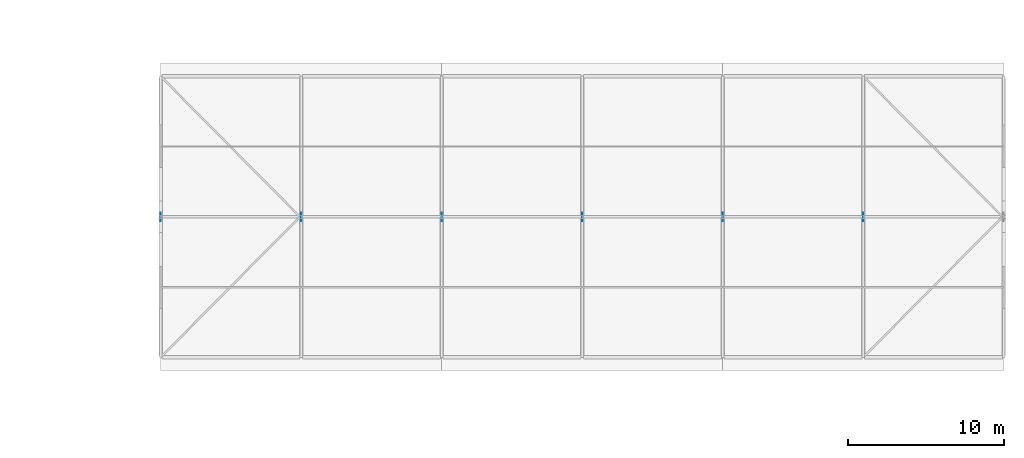
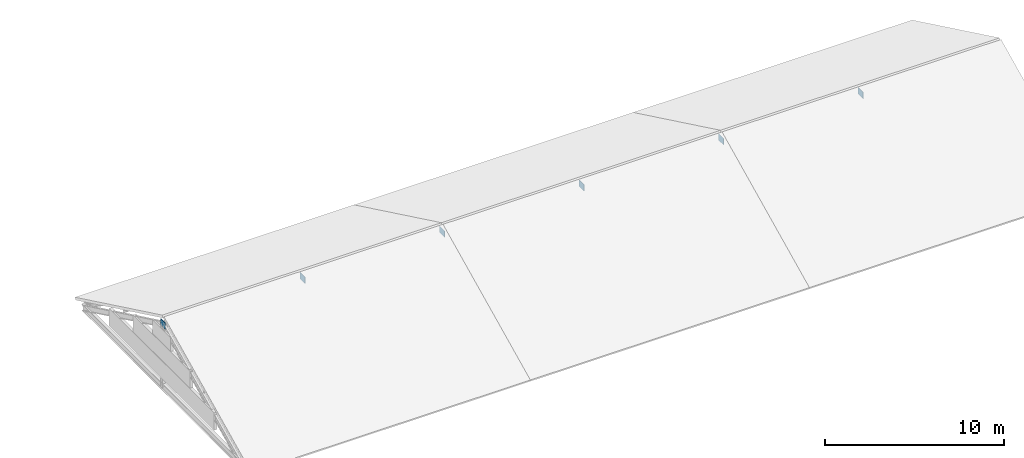
# One storey, part 16 of 25: 6 plates.
"""IFC4 building model written with IfcOpenShell, lengths in metres."""

from ifc_helpers import new_model, si_unit, direction, frame, origin, origin_2d, place, context, subcontext, project, spatial, rectangle, extrude, material, layer, layer_set, type_object, element, save


model = new_model("IFC4")

# Units and contexts
model_context = context("Model", 3, precision=1e-05, world=origin(), true_north=direction((0.0, 1.0)))
body_context = subcontext(model_context, "Body", "Model", "MODEL_VIEW")
ifc_project = project(units=[si_unit("LENGTHUNIT", "METRE"), si_unit("AREAUNIT", "SQUARE_METRE"), si_unit("VOLUMEUNIT", "CUBIC_METRE"), si_unit("PLANEANGLEUNIT", "RADIAN"), si_unit("MASSUNIT", "GRAM", prefix="KILO")], contexts=[model_context])

# Site, building, storey
site_placement = place(None, origin())
site = spatial("IfcSite", under=ifc_project, at=site_placement, CompositionType="ELEMENT")
building_placement = place(site_placement, origin())
building = spatial("IfcBuilding", under=site, at=building_placement, Name="Tharagai Park Tramway Depot", CompositionType="ELEMENT")
storey_placement = place(building_placement, frame((0.0, 0.0, 12.0)))
storey = spatial("IfcBuildingStorey", under=building, at=storey_placement, Name="L03", CompositionType="ELEMENT", Elevation=12.0)

# Plates
ifc_material = material(Name="Steel E350", Category="steel")
ifc_layer_1 = layer(ifc_material, 0.02392578125)
ifc_layer_set_1 = layer_set([ifc_layer_1], Name="Steel E350")
plate_type_1 = type_object("IfcPlateType", Name="GP-02", PredefinedType="SHEET", material=ifc_layer_set_1)
for number, where, z_axis, x_axis, name in (
    (1, (144.0, 18.0, 3.50927734375), (0.0, 0.0, 1.0), (1.0, 0.0, 0.0), "V5 Ridge Gusset Plate GP-02"),
    (2, (162.0, 18.0, 3.50927734375), (0.0, 0.0, 1.0), (1.0, 0.0, 0.0), "V5 Ridge Gusset Plate GP-02"),
    (3, (180.0, 18.0, 3.50927734375), (0.0, 0.0, 1.0), (1.0, 0.0, 0.0), "V5 Ridge Gusset Plate GP-02"),
):
    element("IfcPlate", number, at=place(storey_placement, frame(where, z_axis=z_axis, x_axis=x_axis)), inside=storey, type_object=plate_type_1, Name=name, PredefinedType="SHEET", context=body_context, shape_type="SweptSolid", body=[
        extrude(rectangle(XDim=0.02392578125, YDim=0.550048828125, at=origin_2d()), origin(), (0.0, 0.0, 1.0), 0.449951171875),
    ])
ifc_layer_2 = layer(ifc_material, 0.01611328125)
ifc_layer_set_2 = layer_set([ifc_layer_2], Name="Steel E350")
plate_type_2 = type_object("IfcPlateType", Name="GP-03", PredefinedType="SHEET", material=ifc_layer_set_2)
for number, where, z_axis, x_axis, name in (
    (4, (135.0, 18.0, 3.50927734375), (0.0, 0.0, 1.0), (1.0, 0.0, 0.0), "V5 Ridge Gusset Plate GP-03"),
    (5, (153.0, 18.0, 3.50927734375), (0.0, 0.0, 1.0), (1.0, 0.0, 0.0), "V5 Ridge Gusset Plate GP-03"),
    (6, (171.0, 18.0, 3.50927734375), (0.0, 0.0, 1.0), (1.0, 0.0, 0.0), "V5 Ridge Gusset Plate GP-03"),
):
    element("IfcPlate", number, at=place(storey_placement, frame(where, z_axis=z_axis, x_axis=x_axis)), inside=storey, type_object=plate_type_2, Name=name, PredefinedType="SHEET", context=body_context, shape_type="SweptSolid", body=[
        extrude(rectangle(XDim=0.01611328125, YDim=0.550048828125, at=origin_2d()), origin(), (0.0, 0.0, 1.0), 0.449951171875),
    ])

save(model, "model.ifc")
